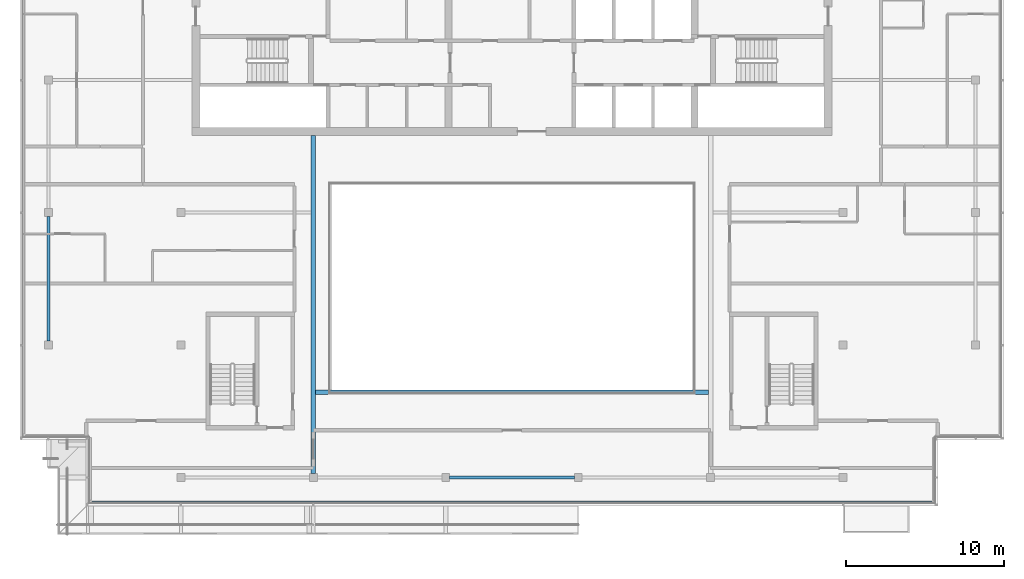
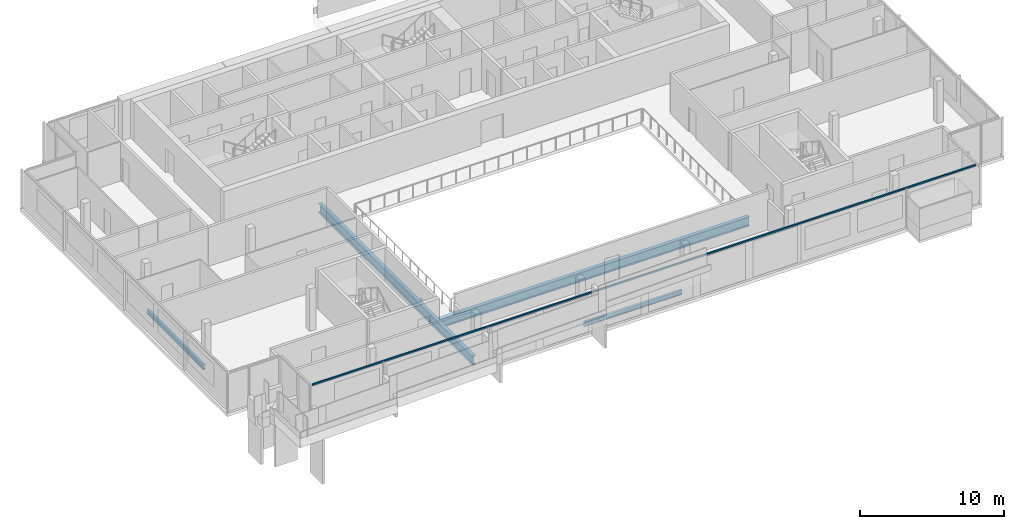
# One storey, part 3 of 22: 4 beams, 1 member, 1 element without a shape of its own.
"""IFC4 building model written with IfcOpenShell, lengths in metres."""

from ifc_helpers import new_model, si_unit, direction, frame, origin, origin_2d, place, context, subcontext, project, spatial, rectangle, i_section, extrude, material, material_profile, profile_set, type_object, element, aggregate, save


model = new_model("IFC4")

# Units and contexts
model_context = context("Model", 3, precision=1e-05, world=origin(), true_north=direction((0.0, 1.0)))
body_context = subcontext(model_context, "Body", "Model", "MODEL_VIEW")
ifc_project = project(units=[si_unit("LENGTHUNIT", "METRE"), si_unit("AREAUNIT", "SQUARE_METRE"), si_unit("VOLUMEUNIT", "CUBIC_METRE"), si_unit("PLANEANGLEUNIT", "RADIAN"), si_unit("MASSUNIT", "GRAM", prefix="KILO")], contexts=[model_context])

# Site, building, storey
site_placement = place(None, origin())
site = spatial("IfcSite", under=ifc_project, at=site_placement, CompositionType="ELEMENT")
building_placement = place(site_placement, origin())
building = spatial("IfcBuilding", under=site, at=building_placement, Name="Saffron Gate Tower", CompositionType="ELEMENT")
storey_placement = place(building_placement, frame((0.0, 0.0, 295.949951171875)))
storey = spatial("IfcBuildingStorey", under=building, at=storey_placement, Name="L72", CompositionType="ELEMENT", Elevation=295.949951171875)

# Beams
ifc_material_1 = material(Name="Structural steel S355", Category="steel")
ifc_material_profile_1 = material_profile(ifc_material_1, i_section(OverallWidth=0.300048828125, OverallDepth=0.7900390625, WebThickness=0.014892578125, FlangeThickness=0.028076171875, FilletRadius=0.030029296875, at=origin_2d()))
ifc_profile_set_1 = profile_set([ifc_material_profile_1], Name="Structural steel S355")
beam_type_1 = type_object("IfcBeamType", Name="B18 HEA 800", PredefinedType="BEAM", material=ifc_profile_set_1)
beam_1_placement = place(storey_placement, frame((75.0, 40.449951171875, -0.675048828125), z_axis=(0.0, 1.0, 0.0), x_axis=(-1.0, 0.0, 0.0)))
element("IfcBeam", 1, at=beam_1_placement, inside=storey, type_object=beam_type_1, Name="B18 ATRIUM GIRDER", PredefinedType="BEAM", context=body_context, shape_type="SweptSolid", body=[
    extrude(i_section(OverallWidth=0.300048828125, OverallDepth=0.7900390625, WebThickness=0.014892578125, FlangeThickness=0.028076171875, FilletRadius=0.030029296875, at=origin_2d()), origin(), (0.0, 0.0, 1.0), 21.449951171875),
])
beam_2_placement = place(storey_placement, frame((75.14990234375, 45.60009765625, -0.675048828125), z_axis=(1.0, 0.0, 0.0), x_axis=(0.0, 1.0, 0.0)))
element("IfcBeam", 2, at=beam_2_placement, inside=storey, type_object=beam_type_1, Name="B18 ATRIUM GIRDER", PredefinedType="BEAM", context=body_context, shape_type="SweptSolid", body=[
    extrude(i_section(OverallWidth=0.300048828125, OverallDepth=0.7900390625, WebThickness=0.014892578125, FlangeThickness=0.028076171875, FilletRadius=0.030029296875, at=origin_2d()), origin(), (0.0, 0.0, 1.0), 24.900146484375),
])
ifc_material_profile_2 = material_profile(ifc_material_1, i_section(OverallWidth=0.179931640625, OverallDepth=0.39990234375, WebThickness=0.008544921875, FlangeThickness=0.013427734375, FilletRadius=0.02099609375, at=origin_2d()))
ifc_profile_set_2 = profile_set([ifc_material_profile_2], Name="Structural steel S355")
beam_type_2 = type_object("IfcBeamType", Name="B5 IPE 400", PredefinedType="SPANDREL", material=ifc_profile_set_2)
beam_3_placement = place(storey_placement, frame((58.199951171875, 48.85009765625, -0.47998046875), z_axis=(0.0, 1.0, 0.0), x_axis=(-1.0, 0.0, 0.0)))
element("IfcBeam", 3, at=beam_3_placement, inside=storey, type_object=beam_type_2, Name="B5 SPANDREL BEAM", PredefinedType="SPANDREL", context=body_context, shape_type="SweptSolid", body=[
    extrude(i_section(OverallWidth=0.179931640625, OverallDepth=0.39990234375, WebThickness=0.008544921875, FlangeThickness=0.013427734375, FilletRadius=0.02099609375, at=origin_2d()), origin(), (0.0, 0.0, 1.0), 7.89990234375),
])
beam_4_placement = place(storey_placement, frame((83.64990234375, 40.199951171875, -0.47998046875), z_axis=(1.0, 0.0, 0.0), x_axis=(0.0, 1.0, 0.0)))
element("IfcBeam", 4, at=beam_4_placement, inside=storey, type_object=beam_type_2, Name="B5 SPANDREL BEAM", PredefinedType="SPANDREL", context=body_context, shape_type="SweptSolid", body=[
    extrude(i_section(OverallWidth=0.179931640625, OverallDepth=0.39990234375, WebThickness=0.008544921875, FlangeThickness=0.013427734375, FilletRadius=0.02099609375, at=origin_2d()), origin(), (0.0, 0.0, 1.0), 7.900146484375),
])

# Curtain wall, member
ifc_material_2 = material(Name="Aluminium, bronze anodised", Category="aluminium")
curtain_wall_type = type_object("IfcCurtainWallType", Name="CWS1 curtain wall front facade", PredefinedType="NOTDEFINED", material=ifc_material_2)
curtain_wall_placement = place(storey_placement, origin())
curtain_wall = element("IfcCurtainWall", 5, at=curtain_wall_placement, inside=storey, type_object=curtain_wall_type, Name="CWS1 run 1", PredefinedType="NOTDEFINED")
ifc_material_profile_3 = material_profile(ifc_material_2, rectangle(XDim=0.1201171875, YDim=0.1201171875, at=origin_2d()))
ifc_profile_set_3 = profile_set([ifc_material_profile_3], Name="Aluminium, bronze anodised")
member_type = type_object("IfcMemberType", Name="CWS1 head transom", PredefinedType="USERDEFINED", material=ifc_profile_set_3)
member_placement = place(storey_placement, frame((60.968017578125, 38.64794921875, 3.260009765625), z_axis=(1.0, 0.0, 0.0), x_axis=(0.0, 1.0, 0.0)))
member = element("IfcMember", 6, at=member_placement, type_object=member_type, Name="CWS1 head transom", ObjectType="TRANSOM", PredefinedType="USERDEFINED", context=body_context, shape_type="SweptSolid", body=[
    extrude(rectangle(XDim=0.1201171875, YDim=0.1201171875, at=origin_2d()), origin(), (0.0, 0.0, 1.0), 53.263916015625),
])
aggregate(curtain_wall, [member])

save(model, "model.ifc")
